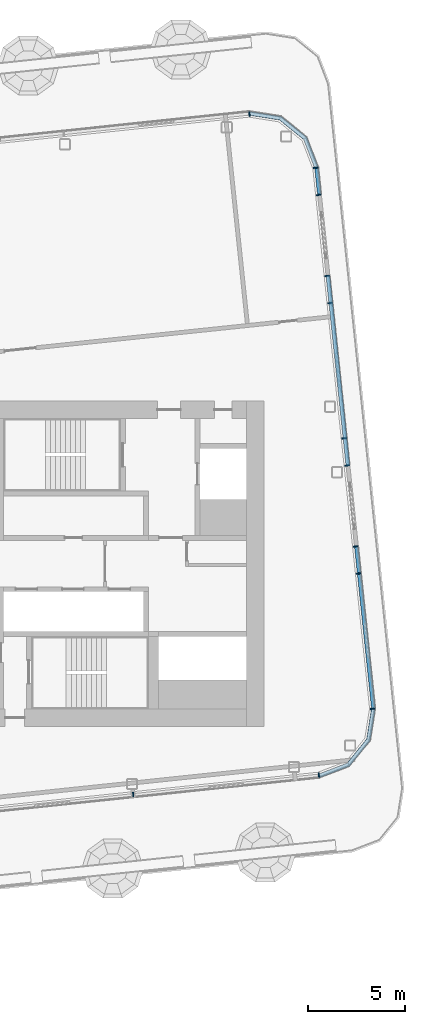
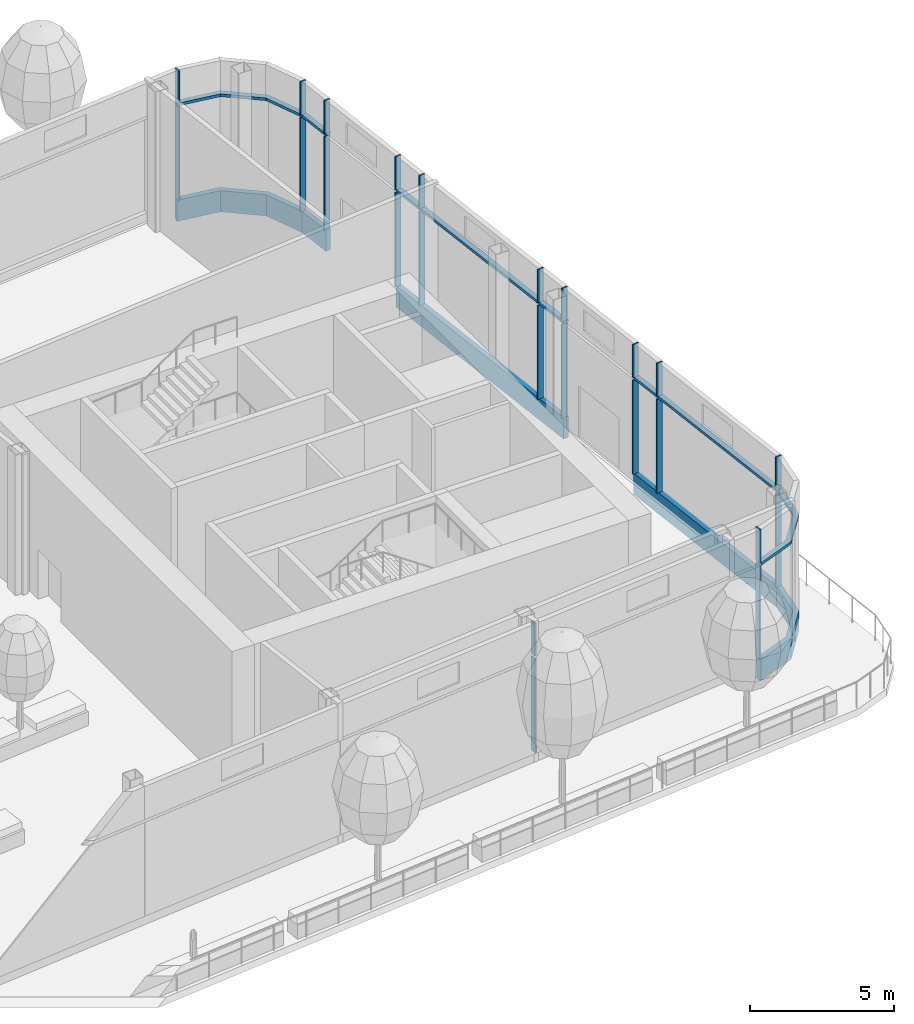
# One storey, part 9 of 42: 34 members, 5 elements without a shape of their own.
"""IFC4 building model written with IfcOpenShell, lengths in metres."""

import ifcopenshell
import ifcopenshell.guid

model = None  # the IFC model being written
_history = None  # IfcOwnerHistory: only IFC2X3 demands one
_inside = {}  # id of a spatial element -> (the spatial element, [elements in it])
_under = {}  # id of a project, library or spatial element -> (it, [spatial elements below it])
_declared = {}  # id of a project -> (the project, [libraries it declares])
_typed = {}  # id of a type object -> (the type object, [elements of that type])
_made_of = {}  # id of a material, layer set ... -> (it, [elements and type objects made of it])


def new_model(schema):
    """Start an empty IFC model of exactly this schema.

    Asked for "IFC4X3", IfcOpenShell would pick the latest addendum, in which some entities
    have other attributes; the version numbers below select the first issue.
    IFC2X3 requires an IfcOwnerHistory on every rooted entity: one is made here for all.
    """
    global model, _history
    if schema == "IFC4X3":
        model = ifcopenshell.file(schema_version=(4, 3, 0, 0))
    else:
        model = ifcopenshell.file(schema=schema)
    _inside.clear()
    _under.clear()
    _declared.clear()
    _typed.clear()
    _made_of.clear()
    _history = None
    if model.schema == "IFC2X3":
        org = make("IfcOrganization", Name="unknown")
        user = make(
            "IfcPersonAndOrganization",
            ThePerson=make("IfcPerson", FamilyName="unknown"),
            TheOrganization=org,
        )
        app = make(
            "IfcApplication",
            ApplicationDeveloper=org,
            Version="unknown",
            ApplicationFullName="unknown",
            ApplicationIdentifier="unknown",
        )
        _history = make(
            "IfcOwnerHistory",
            OwningUser=user,
            OwningApplication=app,
            ChangeAction="ADDED",
            CreationDate=0,
        )
    return model


def make(cls, **values):
    """One entity of the class cls with the attributes given. An attribute that is None is left unset."""
    return model.create_entity(
        cls, **{name: value for name, value in values.items() if value is not None}
    )


def rooted(cls, **values):
    """An entity with a GlobalId (a new one), such as an element, a storey or a relation."""
    return make(cls, GlobalId=ifcopenshell.guid.new(), OwnerHistory=_history, **values)


def si_unit(unit_type, name, prefix=None):
    """IfcSIUnit, for example si_unit("LENGTHUNIT", "METRE", prefix="MILLI")."""
    return make("IfcSIUnit", UnitType=unit_type, Prefix=prefix, Name=name)


def assignment(units):
    """IfcUnitAssignment: the units of a project."""
    return None if units is None else make("IfcUnitAssignment", Units=units)


def point(xyz):
    """IfcCartesianPoint."""
    return None if xyz is None else make("IfcCartesianPoint", Coordinates=xyz)


def direction(xyz):
    """IfcDirection."""
    return None if xyz is None else make("IfcDirection", DirectionRatios=xyz)


def frame(location, z_axis=None, x_axis=None):
    """IfcAxis2Placement3D, a coordinate frame: its origin and axes. An axis left out is left unset."""
    return make(
        "IfcAxis2Placement3D",
        Location=point(location),
        Axis=direction(z_axis),
        RefDirection=direction(x_axis),
    )


def frame_2d(location, x_axis=None):
    """IfcAxis2Placement2D, a coordinate frame in the plane: its origin and x axis."""
    return make(
        "IfcAxis2Placement2D", Location=point(location), RefDirection=direction(x_axis)
    )


def origin():
    """The frame at (0, 0, 0) with its axes left unset."""
    return frame((0.0, 0.0, 0.0))


def origin_2d():
    """The frame at (0, 0) in the plane with its x axis left unset."""
    return frame_2d((0.0, 0.0))


def place(relative_to, where):
    """IfcLocalPlacement: puts the frame where relative to a parent placement (None: the world)."""
    return make(
        "IfcLocalPlacement", PlacementRelTo=relative_to, RelativePlacement=where
    )


def context(
    kind, dimensions, precision=None, world=None, true_north=None, identifier=None
):
    """IfcGeometricRepresentationContext, for example the 3D "Model" context."""
    return make(
        "IfcGeometricRepresentationContext",
        ContextIdentifier=identifier,
        ContextType=kind,
        CoordinateSpaceDimension=dimensions,
        Precision=precision,
        WorldCoordinateSystem=world,
        TrueNorth=true_north,
    )


def subcontext(parent, identifier, kind, view, scale=None):
    """IfcGeometricRepresentationSubContext, for example "Body" below "Model"."""
    return make(
        "IfcGeometricRepresentationSubContext",
        ContextIdentifier=identifier,
        ContextType=kind,
        ParentContext=parent,
        TargetScale=scale,
        TargetView=view,
    )


def project(units=None, contexts=None):
    """IfcProject with its units and contexts."""
    return rooted(
        "IfcProject",
        Name="project",
        RepresentationContexts=contexts,
        UnitsInContext=assignment(units),
    )


def spatial(cls, under=None, at=None, **own):
    """A site, building, storey or space (cls), placed at a placement, below another one or the project."""
    s = rooted(cls, ObjectPlacement=at, **own)
    if under is not None:
        _under.setdefault(under.id(), (under, []))[1].append(s)
    return s


def polyline(points):
    """IfcPolyline through the points."""
    return make("IfcPolyline", Points=[point(p) for p in points])


def profile(cls, at=None, kind="AREA", **sizes):
    """A parametric profile (cls). Its sizes go by their IFC names, for example OverallWidth=200.0."""
    return make(cls, ProfileType=kind, Position=at, **sizes)


def rectangle(**sizes):
    """IfcRectangleProfileDef."""
    return profile("IfcRectangleProfileDef", **sizes)


def outline(outer, holes=None, kind="AREA"):
    """IfcArbitraryClosedProfileDef: a profile drawn as a closed curve; with holes, ...WithVoids."""
    if holes is None:
        return make("IfcArbitraryClosedProfileDef", ProfileType=kind, OuterCurve=outer)
    return make(
        "IfcArbitraryProfileDefWithVoids",
        ProfileType=kind,
        OuterCurve=outer,
        InnerCurves=holes,
    )


def extrude(swept, where, along, depth):
    """IfcExtrudedAreaSolid: the profile swept, set in the frame where, extruded along a direction by depth."""
    return make(
        "IfcExtrudedAreaSolid",
        SweptArea=swept,
        Position=where,
        ExtrudedDirection=direction(along),
        Depth=depth,
    )


def shape(context_of_items, identifier, shape_type, items):
    """IfcShapeRepresentation: the items that make up one representation, for example the "Body"."""
    return make(
        "IfcShapeRepresentation",
        ContextOfItems=context_of_items,
        RepresentationIdentifier=identifier,
        RepresentationType=shape_type,
        Items=items,
    )


def material(Name=None, Category=None):
    """IfcMaterial."""
    return make("IfcMaterial", Name=Name, Category=Category)


def layer(
    of_material, thickness, ventilated=None, Name=None, Category=None, Priority=None
):
    """IfcMaterialLayer: one layer of a wall or slab, of a material (None: an air gap)."""
    return make(
        "IfcMaterialLayer",
        Material=of_material,
        LayerThickness=thickness,
        IsVentilated=ventilated,
        Name=Name,
        Category=Category,
        Priority=Priority,
    )


def layer_set(layers, Name=None):
    """IfcMaterialLayerSet."""
    return make("IfcMaterialLayerSet", MaterialLayers=layers, LayerSetName=Name)


def material_profile(
    of_material, cross_section, Name=None, Category=None, Priority=None
):
    """IfcMaterialProfile: a cross section and its material."""
    return make(
        "IfcMaterialProfile",
        Name=Name,
        Material=of_material,
        Profile=cross_section,
        Priority=Priority,
        Category=Category,
    )


def profile_set(profiles, Name=None, composite=None):
    """IfcMaterialProfileSet."""
    return make(
        "IfcMaterialProfileSet",
        Name=Name,
        MaterialProfiles=profiles,
        CompositeProfile=composite,
    )


def made_of(thing, what):
    """Note that an element or type object is made of a material, layer set ...; save() writes the relation."""
    if what is not None:
        _made_of.setdefault(what.id(), (what, []))[1].append(thing)
    return thing


def type_object(cls, material=None, **own):
    """A type object (cls), such as IfcWallType, which elements share."""
    return made_of(rooted(cls, **own), material)


def element(
    cls,
    number,
    at=None,
    inside=None,
    cuts=None,
    type_object=None,
    material=None,
    context=None,
    identifier="Body",
    shape_type=None,
    held_by="IfcProductDefinitionShape",
    body=None,
    shapes=None,
    **own,
):
    """One element of the class cls, such as IfcWall. Its Tag is "e" and its number.

    at: its placement. inside: the storey or other place that contains it. cuts: it is an
    opening in that element (IfcRelVoidsElement). A single representation is given by context,
    identifier, shape_type and body (its items); several are given by shapes. held_by: the class
    of the entity that holds the representations. save() writes the other relations.
    """
    e = rooted(cls, Tag="e%d" % number, ObjectPlacement=at, **own)
    if body is not None:
        shapes = [shape(context, identifier, shape_type, body)]
    if shapes is not None:
        e.Representation = make(held_by, Representations=shapes)
    if inside is not None:
        _inside.setdefault(inside.id(), (inside, []))[1].append(e)
    if cuts is not None:
        rooted(
            "IfcRelVoidsElement", RelatingBuildingElement=cuts, RelatedOpeningElement=e
        )
    if type_object is not None:
        _typed.setdefault(type_object.id(), (type_object, []))[1].append(e)
    return made_of(e, material)


def aggregate(whole, parts):
    """IfcRelAggregates: a whole, such as a stair, and the parts it consists of."""
    return rooted("IfcRelAggregates", RelatingObject=whole, RelatedObjects=parts)


def save(model, path):
    """Write the relations noted so far, then the file.

    IfcRelAggregates (storeys below a building ...), IfcRelContainedInSpatialStructure (elements
    in a storey), IfcRelDefinesByType, IfcRelAssociatesMaterial and IfcRelDeclares: one each for
    every whole, place, type object, material and project.
    """
    for whole, parts in _under.values():
        aggregate(whole, parts)
    for where, things in _inside.values():
        rooted(
            "IfcRelContainedInSpatialStructure",
            RelatedElements=things,
            RelatingStructure=where,
        )
    for kind, things in _typed.values():
        rooted("IfcRelDefinesByType", RelatedObjects=things, RelatingType=kind)
    for what, things in _made_of.values():
        rooted("IfcRelAssociatesMaterial", RelatedObjects=things, RelatingMaterial=what)
    for by, libraries in _declared.values():
        rooted("IfcRelDeclares", RelatingContext=by, RelatedDefinitions=libraries)
    model.write(path)


model = new_model("IFC4")

# Units and contexts
model_context = context("Model", 3, precision=1e-05, world=origin(), true_north=direction((0.0, 1.0)))
body_context = subcontext(model_context, "Body", "Model", "MODEL_VIEW")
ifc_project = project(units=[si_unit("LENGTHUNIT", "METRE"), si_unit("AREAUNIT", "SQUARE_METRE"), si_unit("VOLUMEUNIT", "CUBIC_METRE"), si_unit("PLANEANGLEUNIT", "RADIAN"), si_unit("MASSUNIT", "GRAM", prefix="KILO")], contexts=[model_context])

# Site, building, storey
site_placement = place(None, origin())
site = spatial("IfcSite", under=ifc_project, at=site_placement, CompositionType="ELEMENT")
building_placement = place(site_placement, origin())
building = spatial("IfcBuilding", under=site, at=building_placement, Name="Hakoniwa Tower and Hamabe Station Hall", CompositionType="ELEMENT")
storey_placement = place(building_placement, frame((0.0, 0.0, 232.60009765625)))
storey = spatial("IfcBuildingStorey", under=building, at=storey_placement, Name="L66", CompositionType="ELEMENT", Elevation=232.60009765625)

# Curtain wall, members
ifc_material_1 = material(Name="Dark low-e laminated glass", Category="glass")
ifc_layer = layer(ifc_material_1, 0.199951171875)
ifc_layer_set = layer_set([ifc_layer], Name="CW-2 SKY GARDEN")
curtain_wall_type = type_object("IfcCurtainWallType", Name="CW-2 SKY GARDEN", PredefinedType="NOTDEFINED", material=ifc_layer_set)
curtain_wall_1_placement = place(storey_placement, origin())
curtain_wall_1 = element("IfcCurtainWall", 1, at=curtain_wall_1_placement, inside=storey, type_object=curtain_wall_type, Name="CW-2 curtain wall", PredefinedType="NOTDEFINED")
ifc_material_2 = material(Name="Aluminium 6063-T5 black anodised", Category="aluminium")
ifc_material_profile_1 = material_profile(ifc_material_2, rectangle(XDim=0.199951171875, YDim=0.1201171875, at=origin_2d()), Name="CW MID TRANSOM 120X200")
ifc_profile_set_1 = profile_set([ifc_material_profile_1], Name="Aluminium 6063-T5 black anodised")
member_type_1 = type_object("IfcMemberType", Name="CW MID TRANSOM 120X200", PredefinedType="USERDEFINED", material=ifc_profile_set_1)
member_1_placement = place(storey_placement, frame((39.25927734375, -7.490478515625, 4.389892578125), z_axis=(-0.10452854743, 0.994521886522, 0.0), x_axis=(-0.994521886522, -0.10452854743, 0.0)))
member_1 = element("IfcMember", 2, at=member_1_placement, type_object=member_type_1, Name="CW-2 transom", ObjectType="TRANSOM", PredefinedType="USERDEFINED", context=body_context, shape_type="SweptSolid", body=[
    extrude(rectangle(XDim=0.199951171875, YDim=0.1201171875, at=origin_2d()), origin(), (0.0, 0.0, 1.0), 8.459716796875),
])
member_2_placement = place(storey_placement, frame((37.9423828125, 5.0400390625, 4.389892578125), z_axis=(-0.10454228429, 0.994520442623, 0.0), x_axis=(-0.994520442623, -0.10454228429, 0.0)))
member_2 = element("IfcMember", 3, at=member_2_placement, type_object=member_type_1, Name="CW-2 transom", ObjectType="TRANSOM", PredefinedType="USERDEFINED", context=body_context, shape_type="SweptSolid", body=[
    extrude(rectangle(XDim=0.199951171875, YDim=0.1201171875, at=origin_2d()), origin(), (0.0, 0.0, 1.0), 9.8994140625),
])
member_3_placement = place(storey_placement, frame((36.474853515625, 19.002685546875, 4.389892578125), z_axis=(-0.104622996795, 0.994511954952, 0.0), x_axis=(-0.994511954952, -0.104622996795, 0.0)))
member_3 = element("IfcMember", 4, at=member_3_placement, type_object=member_type_1, Name="CW-2 transom", ObjectType="TRANSOM", PredefinedType="USERDEFINED", context=body_context, shape_type="SweptSolid", body=[
    extrude(rectangle(XDim=0.199951171875, YDim=0.1201171875, at=origin_2d()), origin(), (0.0, 0.0, 1.0), 1.439697265625),
])

# Curtain wall, member
curtain_wall_2_placement = place(storey_placement, origin())
curtain_wall_2 = element("IfcCurtainWall", 5, at=curtain_wall_2_placement, inside=storey, type_object=curtain_wall_type, Name="CW-2 curtain wall", PredefinedType="NOTDEFINED")
member_4_placement = place(storey_placement, frame((0.0, 0.0, 4.329833984375)))
member_4 = element("IfcMember", 6, at=member_4_placement, type_object=member_type_1, Name="CW-2 transom", ObjectType="TRANSOM", PredefinedType="USERDEFINED", context=body_context, shape_type="SweptSolid", body=[
    extrude(outline(polyline([(36.423828125, 20.445068359375), (35.82421875, 22.0068359375), (34.492431640625, 23.085205078125), (32.84033203125, 23.346923828125), (32.80908203125, 23.1494140625), (34.408203125, 22.89599609375), (35.65673828125, 21.885009765625), (36.237060546875, 20.37353515625), (36.423828125, 20.445068359375)])), origin(), (0.0, 0.0, 1.0), 0.1201171875),
])

curtain_wall_3_placement = place(storey_placement, origin())
curtain_wall_3 = element("IfcCurtainWall", 7, at=curtain_wall_3_placement, inside=storey, type_object=curtain_wall_type, Name="CW-2 curtain wall", PredefinedType="NOTDEFINED")
member_5_placement = place(storey_placement, frame((0.0, 0.0, 4.329833984375)))
member_5 = element("IfcMember", 8, at=member_5_placement, type_object=member_type_1, Name="CW-2 transom", ObjectType="TRANSOM", PredefinedType="USERDEFINED", context=body_context, shape_type="SweptSolid", body=[
    extrude(outline(polyline([(36.45703125, -11.0634765625), (38.0185546875, -10.464111328125), (39.09716796875, -9.13232421875), (39.35888671875, -7.47998046875), (39.161376953125, -7.44873046875), (38.907958984375, -9.048095703125), (37.89697265625, -10.296630859375), (36.38525390625, -10.876708984375), (36.45703125, -11.0634765625)])), origin(), (0.0, 0.0, 1.0), 0.1201171875),
])

# Member
ifc_material_3 = material(Name="Aluminium 6063-T5 black anodised", Category="aluminium")
ifc_material_profile_2 = material_profile(ifc_material_3, rectangle(XDim=0.199951171875, YDim=0.89990234375, at=origin_2d()), Name="CW SLAB-EDGE BAND 900X200")
ifc_profile_set_2 = profile_set([ifc_material_profile_2], Name="Aluminium 6063-T5 black anodised")
member_type_2 = type_object("IfcMemberType", Name="CW SLAB-EDGE BAND 900X200", PredefinedType="USERDEFINED", material=ifc_profile_set_2)
member_6_placement = place(storey_placement, frame((39.25927734375, -7.490478515625, -0.10009765625), z_axis=(-0.10452854743, 0.994521886522, 0.0), x_axis=(-0.994521886522, -0.10452854743, 0.0)))
member_6 = element("IfcMember", 9, at=member_6_placement, type_object=member_type_2, Name="CW-2 transom", ObjectType="TRANSOM", PredefinedType="USERDEFINED", context=body_context, shape_type="SweptSolid", body=[
    extrude(rectangle(XDim=0.199951171875, YDim=0.89990234375, at=origin_2d()), origin(), (0.0, 0.0, 1.0), 8.459716796875),
])

member_7_placement = place(storey_placement, frame((37.9423828125, 5.0400390625, -0.10009765625), z_axis=(-0.10454228429, 0.994520442623, 0.0), x_axis=(-0.994520442623, -0.10454228429, 0.0)))
member_7 = element("IfcMember", 10, at=member_7_placement, type_object=member_type_2, Name="CW-2 transom", ObjectType="TRANSOM", PredefinedType="USERDEFINED", context=body_context, shape_type="SweptSolid", body=[
    extrude(rectangle(XDim=0.199951171875, YDim=0.89990234375, at=origin_2d()), origin(), (0.0, 0.0, 1.0), 9.8994140625),
])

member_8_placement = place(storey_placement, frame((36.474853515625, 19.002685546875, -0.10009765625), z_axis=(-0.104622996795, 0.994511954952, 0.0), x_axis=(-0.994511954952, -0.104622996795, 0.0)))
member_8 = element("IfcMember", 11, at=member_8_placement, type_object=member_type_2, Name="CW-2 transom", ObjectType="TRANSOM", PredefinedType="USERDEFINED", context=body_context, shape_type="SweptSolid", body=[
    extrude(rectangle(XDim=0.199951171875, YDim=0.89990234375, at=origin_2d()), origin(), (0.0, 0.0, 1.0), 1.439697265625),
])

member_9_placement = place(storey_placement, frame((0.0, 0.0, -0.550048828125)))
member_9 = element("IfcMember", 12, at=member_9_placement, type_object=member_type_2, Name="CW-2 transom", ObjectType="TRANSOM", PredefinedType="USERDEFINED", context=body_context, shape_type="SweptSolid", body=[
    extrude(outline(polyline([(36.423828125, 20.445068359375), (35.82421875, 22.0068359375), (34.492431640625, 23.085205078125), (32.84033203125, 23.346923828125), (32.80908203125, 23.1494140625), (34.408203125, 22.89599609375), (35.65673828125, 21.885009765625), (36.237060546875, 20.37353515625), (36.423828125, 20.445068359375)])), origin(), (0.0, 0.0, 1.0), 0.89990234375),
])

aggregate(curtain_wall_2, [member_9, member_4])

member_10_placement = place(storey_placement, frame((0.0, 0.0, -0.550048828125)))
member_10 = element("IfcMember", 13, at=member_10_placement, type_object=member_type_2, Name="CW-2 transom", ObjectType="TRANSOM", PredefinedType="USERDEFINED", context=body_context, shape_type="SweptSolid", body=[
    extrude(outline(polyline([(36.45703125, -11.0634765625), (38.0185546875, -10.464111328125), (39.09716796875, -9.13232421875), (39.35888671875, -7.47998046875), (39.161376953125, -7.44873046875), (38.907958984375, -9.048095703125), (37.89697265625, -10.296630859375), (36.38525390625, -10.876708984375), (36.45703125, -11.0634765625)])), origin(), (0.0, 0.0, 1.0), 0.89990234375),
])

aggregate(curtain_wall_3, [member_10, member_5])

ifc_material_4 = material(Name="Aluminium 6063-T5 black anodised", Category="aluminium")
ifc_material_profile_3 = material_profile(ifc_material_4, rectangle(XDim=0.06005859375, YDim=0.239990234375, at=origin_2d()), Name="CW-2 MULLION 60X240")
ifc_profile_set_3 = profile_set([ifc_material_profile_3], Name="Aluminium 6063-T5 black anodised")
member_type_3 = type_object("IfcMemberType", Name="CW-2 MULLION 60X240", PredefinedType="MULLION", material=ifc_profile_set_3)
member_11_placement = place(storey_placement, frame((39.211669921875, -7.49560546875, 0.349853515625), z_axis=(0.0, 0.0, 1.0), x_axis=(-0.104528468631, 0.994521894805, 0.0)))
member_11 = element("IfcMember", 14, at=member_11_placement, type_object=member_type_3, Name="CW-2 mullion", PredefinedType="MULLION", context=body_context, shape_type="SweptSolid", body=[
    extrude(rectangle(XDim=0.06005859375, YDim=0.239990234375, at=origin_2d()), origin(), (0.0, 0.0, 1.0), 3.97998046875),
])

member_12_placement = place(storey_placement, frame((39.211669921875, -7.49560546875, 4.449951171875), z_axis=(0.0, 0.0, 1.0), x_axis=(-0.104528468631, 0.994521894805, 0.0)))
member_12 = element("IfcMember", 15, at=member_12_placement, type_object=member_type_3, Name="CW-2 mullion", PredefinedType="MULLION", context=body_context, shape_type="SweptSolid", body=[
    extrude(rectangle(XDim=0.06005859375, YDim=0.239990234375, at=origin_2d()), origin(), (0.0, 0.0, 1.0), 1.39990234375),
])

member_13_placement = place(storey_placement, frame((38.477783203125, -0.51416015625, 0.349853515625), z_axis=(0.0, 0.0, 1.0), x_axis=(-0.104528468631, 0.994521894805, 0.0)))
member_13 = element("IfcMember", 16, at=member_13_placement, type_object=member_type_3, Name="CW-2 mullion", PredefinedType="MULLION", context=body_context, shape_type="SweptSolid", body=[
    extrude(rectangle(XDim=0.06005859375, YDim=0.239990234375, at=origin_2d()), origin(), (0.0, 0.0, 1.0), 3.97998046875),
])

member_14_placement = place(storey_placement, frame((38.477783203125, -0.51416015625, 4.449951171875), z_axis=(0.0, 0.0, 1.0), x_axis=(-0.104528468631, 0.994521894805, 0.0)))
member_14 = element("IfcMember", 17, at=member_14_placement, type_object=member_type_3, Name="CW-2 mullion", PredefinedType="MULLION", context=body_context, shape_type="SweptSolid", body=[
    extrude(rectangle(XDim=0.06005859375, YDim=0.239990234375, at=origin_2d()), origin(), (0.0, 0.0, 1.0), 1.39990234375),
])

member_15_placement = place(storey_placement, frame((38.33056640625, 0.887939453125, 0.349853515625), z_axis=(0.0, 0.0, 1.0), x_axis=(-0.104528468631, 0.994521894805, 0.0)))
member_15 = element("IfcMember", 18, at=member_15_placement, type_object=member_type_3, Name="CW-2 mullion", PredefinedType="MULLION", context=body_context, shape_type="SweptSolid", body=[
    extrude(rectangle(XDim=0.06005859375, YDim=0.239990234375, at=origin_2d()), origin(), (0.0, 0.0, 1.0), 3.97998046875),
])

member_16_placement = place(storey_placement, frame((38.33056640625, 0.887939453125, 4.449951171875), z_axis=(0.0, 0.0, 1.0), x_axis=(-0.104528468631, 0.994521894805, 0.0)))
member_16 = element("IfcMember", 19, at=member_16_placement, type_object=member_type_3, Name="CW-2 mullion", PredefinedType="MULLION", context=body_context, shape_type="SweptSolid", body=[
    extrude(rectangle(XDim=0.06005859375, YDim=0.239990234375, at=origin_2d()), origin(), (0.0, 0.0, 1.0), 1.39990234375),
])

member_17_placement = place(storey_placement, frame((37.891357421875, 5.06494140625, 0.349853515625), z_axis=(0.0, 0.0, 1.0), x_axis=(-0.104528468631, 0.994521894805, 0.0)))
member_17 = element("IfcMember", 20, at=member_17_placement, type_object=member_type_3, Name="CW-2 mullion", PredefinedType="MULLION", context=body_context, shape_type="SweptSolid", body=[
    extrude(rectangle(XDim=0.06005859375, YDim=0.239990234375, at=origin_2d()), origin(), (0.0, 0.0, 1.0), 3.97998046875),
])

member_18_placement = place(storey_placement, frame((37.891357421875, 5.06494140625, 4.449951171875), z_axis=(0.0, 0.0, 1.0), x_axis=(-0.104528468631, 0.994521894805, 0.0)))
member_18 = element("IfcMember", 21, at=member_18_placement, type_object=member_type_3, Name="CW-2 mullion", PredefinedType="MULLION", context=body_context, shape_type="SweptSolid", body=[
    extrude(rectangle(XDim=0.06005859375, YDim=0.239990234375, at=origin_2d()), origin(), (0.0, 0.0, 1.0), 1.39990234375),
])

member_19_placement = place(storey_placement, frame((37.744140625, 6.467041015625, 0.349853515625), z_axis=(0.0, 0.0, 1.0), x_axis=(-0.104528468631, 0.994521894805, 0.0)))
member_19 = element("IfcMember", 22, at=member_19_placement, type_object=member_type_3, Name="CW-2 mullion", PredefinedType="MULLION", context=body_context, shape_type="SweptSolid", body=[
    extrude(rectangle(XDim=0.06005859375, YDim=0.239990234375, at=origin_2d()), origin(), (0.0, 0.0, 1.0), 3.97998046875),
])

member_20_placement = place(storey_placement, frame((37.744140625, 6.467041015625, 4.449951171875), z_axis=(0.0, 0.0, 1.0), x_axis=(-0.104528468631, 0.994521894805, 0.0)))
member_20 = element("IfcMember", 23, at=member_20_placement, type_object=member_type_3, Name="CW-2 mullion", PredefinedType="MULLION", context=body_context, shape_type="SweptSolid", body=[
    extrude(rectangle(XDim=0.06005859375, YDim=0.239990234375, at=origin_2d()), origin(), (0.0, 0.0, 1.0), 1.39990234375),
])

member_21_placement = place(storey_placement, frame((37.01025390625, 13.4482421875, 0.349853515625), z_axis=(0.0, 0.0, 1.0), x_axis=(-0.104528468631, 0.994521894805, 0.0)))
member_21 = element("IfcMember", 24, at=member_21_placement, type_object=member_type_3, Name="CW-2 mullion", PredefinedType="MULLION", context=body_context, shape_type="SweptSolid", body=[
    extrude(rectangle(XDim=0.06005859375, YDim=0.239990234375, at=origin_2d()), origin(), (0.0, 0.0, 1.0), 3.97998046875),
])

member_22_placement = place(storey_placement, frame((37.01025390625, 13.4482421875, 4.449951171875), z_axis=(0.0, 0.0, 1.0), x_axis=(-0.104528468631, 0.994521894805, 0.0)))
member_22 = element("IfcMember", 25, at=member_22_placement, type_object=member_type_3, Name="CW-2 mullion", PredefinedType="MULLION", context=body_context, shape_type="SweptSolid", body=[
    extrude(rectangle(XDim=0.06005859375, YDim=0.239990234375, at=origin_2d()), origin(), (0.0, 0.0, 1.0), 1.39990234375),
])

member_23_placement = place(storey_placement, frame((36.863037109375, 14.8505859375, 0.349853515625), z_axis=(0.0, 0.0, 1.0), x_axis=(-0.104528468631, 0.994521894805, 0.0)))
member_23 = element("IfcMember", 26, at=member_23_placement, type_object=member_type_3, Name="CW-2 mullion", PredefinedType="MULLION", context=body_context, shape_type="SweptSolid", body=[
    extrude(rectangle(XDim=0.06005859375, YDim=0.239990234375, at=origin_2d()), origin(), (0.0, 0.0, 1.0), 3.97998046875),
])

member_24_placement = place(storey_placement, frame((36.863037109375, 14.8505859375, 4.449951171875), z_axis=(0.0, 0.0, 1.0), x_axis=(-0.104528468631, 0.994521894805, 0.0)))
member_24 = element("IfcMember", 27, at=member_24_placement, type_object=member_type_3, Name="CW-2 mullion", PredefinedType="MULLION", context=body_context, shape_type="SweptSolid", body=[
    extrude(rectangle(XDim=0.06005859375, YDim=0.239990234375, at=origin_2d()), origin(), (0.0, 0.0, 1.0), 1.39990234375),
])

member_25_placement = place(storey_placement, frame((36.423828125, 19.027587890625, 0.349853515625), z_axis=(0.0, 0.0, 1.0), x_axis=(-0.104528468631, 0.994521894805, 0.0)))
member_25 = element("IfcMember", 28, at=member_25_placement, type_object=member_type_3, Name="CW-2 mullion", PredefinedType="MULLION", context=body_context, shape_type="SweptSolid", body=[
    extrude(rectangle(XDim=0.06005859375, YDim=0.239990234375, at=origin_2d()), origin(), (0.0, 0.0, 1.0), 3.97998046875),
])

member_26_placement = place(storey_placement, frame((36.423828125, 19.027587890625, 4.449951171875), z_axis=(0.0, 0.0, 1.0), x_axis=(-0.104528468631, 0.994521894805, 0.0)))
member_26 = element("IfcMember", 29, at=member_26_placement, type_object=member_type_3, Name="CW-2 mullion", PredefinedType="MULLION", context=body_context, shape_type="SweptSolid", body=[
    extrude(rectangle(XDim=0.06005859375, YDim=0.239990234375, at=origin_2d()), origin(), (0.0, 0.0, 1.0), 1.39990234375),
])

member_27_placement = place(storey_placement, frame((36.276611328125, 20.4296875, 0.349853515625), z_axis=(0.0, 0.0, 1.0), x_axis=(-0.104528468631, 0.994521894805, 0.0)))
member_27 = element("IfcMember", 30, at=member_27_placement, type_object=member_type_3, Name="CW-2 mullion", PredefinedType="MULLION", context=body_context, shape_type="SweptSolid", body=[
    extrude(rectangle(XDim=0.06005859375, YDim=0.239990234375, at=origin_2d()), origin(), (0.0, 0.0, 1.0), 3.97998046875),
])

member_28_placement = place(storey_placement, frame((36.276611328125, 20.4296875, 4.449951171875), z_axis=(0.0, 0.0, 1.0), x_axis=(-0.104528468631, 0.994521894805, 0.0)))
member_28 = element("IfcMember", 31, at=member_28_placement, type_object=member_type_3, Name="CW-2 mullion", PredefinedType="MULLION", context=body_context, shape_type="SweptSolid", body=[
    extrude(rectangle(XDim=0.06005859375, YDim=0.239990234375, at=origin_2d()), origin(), (0.0, 0.0, 1.0), 1.39990234375),
])

aggregate(curtain_wall_1, [member_11, member_12, member_13, member_14, member_15, member_16, member_17, member_18, member_19, member_20, member_21, member_22, member_23, member_24, member_25, member_26, member_27, member_28, member_6, member_1, member_7, member_2, member_8, member_3])

# Curtain wall, members
curtain_wall_4_placement = place(storey_placement, origin())
curtain_wall_4 = element("IfcCurtainWall", 32, at=curtain_wall_4_placement, inside=storey, type_object=curtain_wall_type, Name="CW-2 curtain wall", PredefinedType="NOTDEFINED")
member_29_placement = place(storey_placement, frame((32.855712890625, 23.19970703125, 0.349853515625), z_axis=(0.0, 0.0, 1.0), x_axis=(-0.994521895272, -0.104528464188, 0.0)))
member_29 = element("IfcMember", 33, at=member_29_placement, type_object=member_type_3, Name="CW-2 mullion", PredefinedType="MULLION", context=body_context, shape_type="SweptSolid", body=[
    extrude(rectangle(XDim=0.06005859375, YDim=0.239990234375, at=origin_2d()), origin(), (0.0, 0.0, 1.0), 3.97998046875),
])
member_30_placement = place(storey_placement, frame((32.855712890625, 23.19970703125, 4.449951171875), z_axis=(0.0, 0.0, 1.0), x_axis=(-0.994521895272, -0.104528464188, 0.0)))
member_30 = element("IfcMember", 34, at=member_30_placement, type_object=member_type_3, Name="CW-2 mullion", PredefinedType="MULLION", context=body_context, shape_type="SweptSolid", body=[
    extrude(rectangle(XDim=0.06005859375, YDim=0.239990234375, at=origin_2d()), origin(), (0.0, 0.0, 1.0), 1.39990234375),
])
aggregate(curtain_wall_4, [member_29, member_30])

curtain_wall_5_placement = place(storey_placement, origin())
curtain_wall_5 = element("IfcCurtainWall", 35, at=curtain_wall_5_placement, inside=storey, type_object=curtain_wall_type, Name="CW-2 curtain wall", PredefinedType="NOTDEFINED")
member_31_placement = place(storey_placement, frame((26.854736328125, -11.923828125, 0.349853515625), z_axis=(0.0, 0.0, 1.0), x_axis=(0.994521895272, 0.104528464188, 0.0)))
member_31 = element("IfcMember", 36, at=member_31_placement, type_object=member_type_3, Name="CW-2 mullion", PredefinedType="MULLION", context=body_context, shape_type="SweptSolid", body=[
    extrude(rectangle(XDim=0.06005859375, YDim=0.239990234375, at=origin_2d()), origin(), (0.0, 0.0, 1.0), 3.97998046875),
])
member_32_placement = place(storey_placement, frame((26.854736328125, -11.923828125, 4.449951171875), z_axis=(0.0, 0.0, 1.0), x_axis=(0.994521895272, 0.104528464188, 0.0)))
member_32 = element("IfcMember", 37, at=member_32_placement, type_object=member_type_3, Name="CW-2 mullion", PredefinedType="MULLION", context=body_context, shape_type="SweptSolid", body=[
    extrude(rectangle(XDim=0.06005859375, YDim=0.239990234375, at=origin_2d()), origin(), (0.0, 0.0, 1.0), 1.39990234375),
])
member_33_placement = place(storey_placement, frame((36.44140625, -10.916259765625, 0.349853515625), z_axis=(0.0, 0.0, 1.0), x_axis=(0.994521895272, 0.104528464188, 0.0)))
member_33 = element("IfcMember", 38, at=member_33_placement, type_object=member_type_3, Name="CW-2 mullion", PredefinedType="MULLION", context=body_context, shape_type="SweptSolid", body=[
    extrude(rectangle(XDim=0.06005859375, YDim=0.239990234375, at=origin_2d()), origin(), (0.0, 0.0, 1.0), 3.97998046875),
])
member_34_placement = place(storey_placement, frame((36.44140625, -10.916259765625, 4.449951171875), z_axis=(0.0, 0.0, 1.0), x_axis=(0.994521895272, 0.104528464188, 0.0)))
member_34 = element("IfcMember", 39, at=member_34_placement, type_object=member_type_3, Name="CW-2 mullion", PredefinedType="MULLION", context=body_context, shape_type="SweptSolid", body=[
    extrude(rectangle(XDim=0.06005859375, YDim=0.239990234375, at=origin_2d()), origin(), (0.0, 0.0, 1.0), 1.39990234375),
])
aggregate(curtain_wall_5, [member_31, member_32, member_33, member_34])

save(model, "model.ifc")
